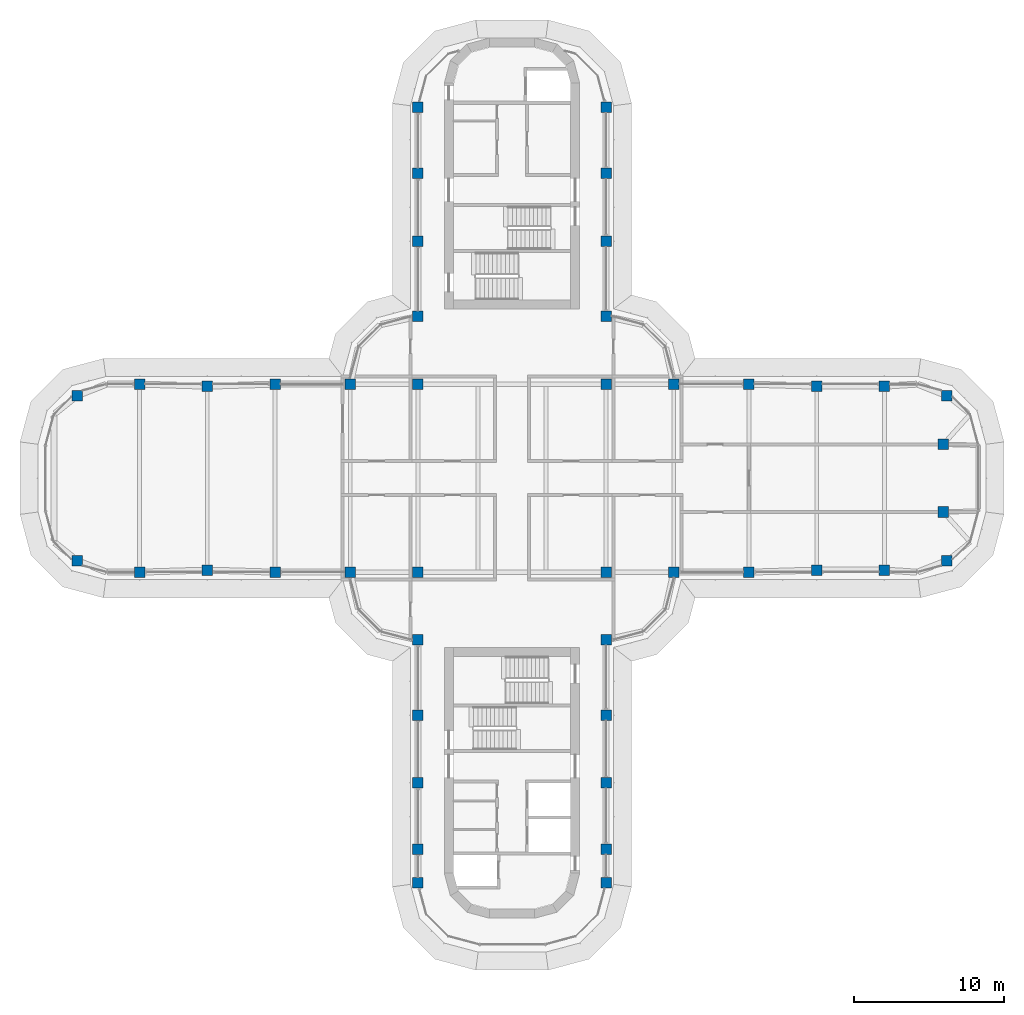
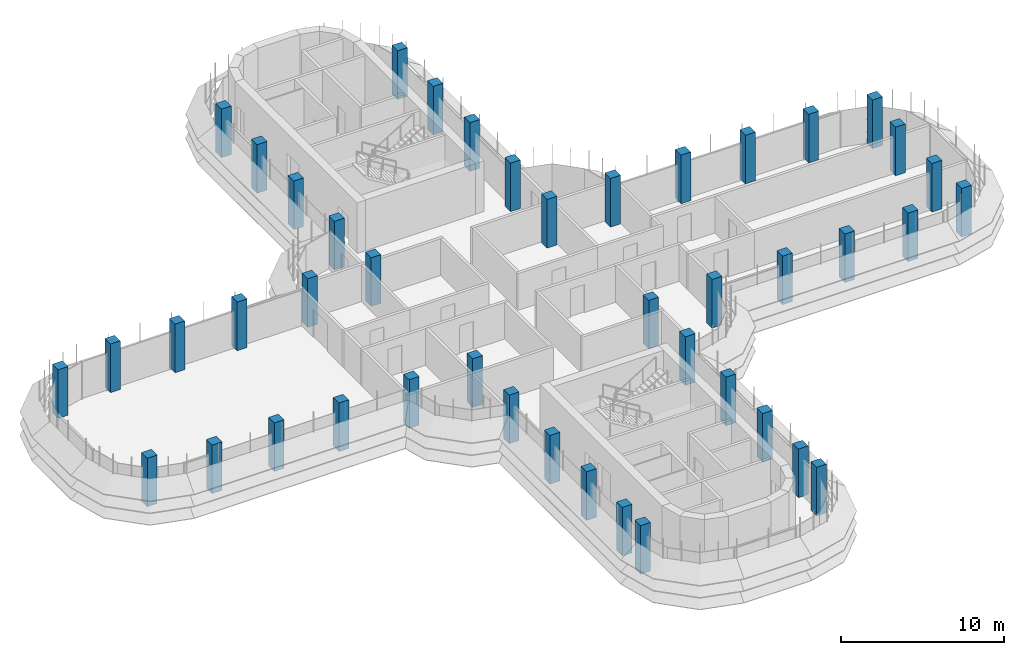
# One storey, part 1 of 19: 44 columns.
"""IFC4 building model written with IfcOpenShell, lengths in metres."""

from ifc_helpers import new_model, si_unit, direction, frame, origin, origin_2d, place, context, subcontext, project, spatial, rectangle, extrude, material, material_profile, profile_set, type_object, element, save


model = new_model("IFC4")

# Units and contexts
model_context = context("Model", 3, precision=1e-05, world=origin(), true_north=direction((0.0, 1.0)))
body_context = subcontext(model_context, "Body", "Model", "MODEL_VIEW")
ifc_project = project(units=[si_unit("LENGTHUNIT", "METRE"), si_unit("AREAUNIT", "SQUARE_METRE"), si_unit("VOLUMEUNIT", "CUBIC_METRE"), si_unit("PLANEANGLEUNIT", "RADIAN"), si_unit("MASSUNIT", "GRAM", prefix="KILO")], contexts=[model_context])

# Site, building, storey
site_placement = place(None, origin())
site = spatial("IfcSite", under=ifc_project, at=site_placement, CompositionType="ELEMENT")
building_placement = place(site_placement, origin())
building = spatial("IfcBuilding", under=site, at=building_placement, Name="Zarbagh Exchange Tower", CompositionType="ELEMENT")
storey_placement = place(building_placement, frame((0.0, 0.0, 233.39990234375)))
storey = spatial("IfcBuildingStorey", under=building, at=storey_placement, Name="L57", CompositionType="ELEMENT", Elevation=233.39990234375)

# Columns
ifc_material = material(Name="Concrete C50/60", Category="concrete")
ifc_material_profile = material_profile(ifc_material, rectangle(XDim=0.699951171875, YDim=0.699951171875, at=origin_2d()), Name="RC column 700 x 700 C50/60")
ifc_profile_set = profile_set([ifc_material_profile], Name="Concrete C50/60")
column_type = type_object("IfcColumnType", Name="RC column 700 x 700 C50/60", PredefinedType="COLUMN", material=ifc_profile_set)
for number, where, z_axis, x_axis, name in (
    (1, (-28.907958984375, -5.47509765625, 0.0), (0.0, 0.0, 1.0), (1.0, 0.0, 0.0), "C5 11/R"),
    (2, (-28.907958984375, 5.47509765625, 0.0), (0.0, 0.0, 1.0), (1.0, 0.0, 0.0), "C5 11/U"),
    (3, (-24.75, -6.25, 0.0), (0.0, 0.0, 1.0), (1.0, 0.0, 0.0), "C5 12/R"),
    (4, (-24.75, 6.25, 0.0), (0.0, 0.0, 1.0), (1.0, 0.0, 0.0), "C5 12/U"),
    (5, (-20.25, -6.110107421875, 0.0), (0.0, 0.0, 1.0), (1.0, 0.0, 0.0), "C5 13/R"),
    (6, (-20.25, 6.110107421875, 0.0), (0.0, 0.0, 1.0), (1.0, 0.0, 0.0), "C5 13/U"),
    (7, (-15.75, -6.25, 0.0), (0.0, 0.0, 1.0), (1.0, 0.0, 0.0), "C5 14/R"),
    (8, (-15.75, 6.25, 0.0), (0.0, 0.0, 1.0), (1.0, 0.0, 0.0), "C5 14/U"),
    (9, (-10.75, -6.25, 0.0), (0.0, 0.0, 1.0), (1.0, 0.0, 0.0), "C5 15/R"),
    (10, (-10.75, 6.25, 0.0), (0.0, 0.0, 1.0), (1.0, 0.0, 0.0), "C5 15/U"),
    (11, (-6.25, -26.89990234375, 0.0), (0.0, 0.0, 1.0), (1.0, 0.0, 0.0), "C5 16/L"),
    (12, (-6.25, -24.64990234375, 0.0), (0.0, 0.0, 1.0), (1.0, 0.0, 0.0), "C5 16/M"),
    (13, (-6.25, -20.25, 0.0), (0.0, 0.0, 1.0), (1.0, 0.0, 0.0), "C5 16/N"),
    (14, (-6.25, -15.75, 0.0), (0.0, 0.0, 1.0), (1.0, 0.0, 0.0), "C5 16/P"),
    (15, (-6.25, -10.75, 0.0), (0.0, 0.0, 1.0), (1.0, 0.0, 0.0), "C5 16/Q"),
    (16, (-6.25, -6.25, 0.0), (0.0, 0.0, 1.0), (1.0, 0.0, 0.0), "C5 16/R"),
    (17, (-6.25, 6.25, 0.0), (0.0, 0.0, 1.0), (1.0, 0.0, 0.0), "C5 16/U"),
    (18, (-6.25, 10.75, 0.0), (0.0, 0.0, 1.0), (1.0, 0.0, 0.0), "C5 16/V"),
    (19, (-6.25, 15.75, 0.0), (0.0, 0.0, 1.0), (1.0, 0.0, 0.0), "C5 16/W"),
    (20, (-6.25, 20.25, 0.0), (0.0, 0.0, 1.0), (1.0, 0.0, 0.0), "C5 16/X"),
    (21, (-6.25, 24.64990234375, 0.0), (0.0, 0.0, 1.0), (1.0, 0.0, 0.0), "C5 16/Y"),
    (22, (6.25, -26.89990234375, 0.0), (0.0, 0.0, 1.0), (1.0, 0.0, 0.0), "C5 19/L"),
    (23, (6.25, -24.64990234375, 0.0), (0.0, 0.0, 1.0), (1.0, 0.0, 0.0), "C5 19/M"),
    (24, (6.25, -20.25, 0.0), (0.0, 0.0, 1.0), (1.0, 0.0, 0.0), "C5 19/N"),
    (25, (6.25, -15.75, 0.0), (0.0, 0.0, 1.0), (1.0, 0.0, 0.0), "C5 19/P"),
    (26, (6.25, -10.75, 0.0), (0.0, 0.0, 1.0), (1.0, 0.0, 0.0), "C5 19/Q"),
    (27, (6.25, -6.25, 0.0), (0.0, 0.0, 1.0), (1.0, 0.0, 0.0), "C5 19/R"),
    (28, (6.25, 6.25, 0.0), (0.0, 0.0, 1.0), (1.0, 0.0, 0.0), "C5 19/U"),
    (29, (6.25, 10.75, 0.0), (0.0, 0.0, 1.0), (1.0, 0.0, 0.0), "C5 19/V"),
    (30, (6.25, 15.75, 0.0), (0.0, 0.0, 1.0), (1.0, 0.0, 0.0), "C5 19/W"),
    (31, (6.25, 20.25, 0.0), (0.0, 0.0, 1.0), (1.0, 0.0, 0.0), "C5 19/X"),
    (32, (6.25, 24.64990234375, 0.0), (0.0, 0.0, 1.0), (1.0, 0.0, 0.0), "C5 19/Y"),
    (33, (10.75, -6.25, 0.0), (0.0, 0.0, 1.0), (1.0, 0.0, 0.0), "C5 20/R"),
    (34, (10.75, 6.25, 0.0), (0.0, 0.0, 1.0), (1.0, 0.0, 0.0), "C5 20/U"),
    (35, (15.75, -6.25, 0.0), (0.0, 0.0, 1.0), (1.0, 0.0, 0.0), "C5 21/R"),
    (36, (15.75, 6.25, 0.0), (0.0, 0.0, 1.0), (1.0, 0.0, 0.0), "C5 21/U"),
    (37, (20.25, -6.110107421875, 0.0), (0.0, 0.0, 1.0), (1.0, 0.0, 0.0), "C5 22/R"),
    (38, (20.25, 6.110107421875, 0.0), (0.0, 0.0, 1.0), (1.0, 0.0, 0.0), "C5 22/U"),
    (39, (24.75, -6.110107421875, 0.0), (0.0, 0.0, 1.0), (1.0, 0.0, 0.0), "C5 23/R"),
    (40, (24.75, 6.110107421875, 0.0), (0.0, 0.0, 1.0), (1.0, 0.0, 0.0), "C5 23/U"),
    (41, (28.907958984375, -5.47509765625, 0.0), (0.0, 0.0, 1.0), (1.0, 0.0, 0.0), "C5 24/R"),
    (42, (28.669921875, -2.25, 0.0), (0.0, 0.0, 1.0), (1.0, 0.0, 0.0), "C5 24/S"),
    (43, (28.669921875, 2.25, 0.0), (0.0, 0.0, 1.0), (1.0, 0.0, 0.0), "C5 24/T"),
    (44, (28.907958984375, 5.47509765625, 0.0), (0.0, 0.0, 1.0), (1.0, 0.0, 0.0), "C5 24/U"),
):
    element("IfcColumn", number, at=place(storey_placement, frame(where, z_axis=z_axis, x_axis=x_axis)), inside=storey, type_object=column_type, Name=name, PredefinedType="COLUMN", context=body_context, shape_type="SweptSolid", body=[
        extrude(rectangle(XDim=0.699951171875, YDim=0.699951171875, at=origin_2d()), origin(), (0.0, 0.0, 1.0), 3.650146484375),
    ])

save(model, "model.ifc")
